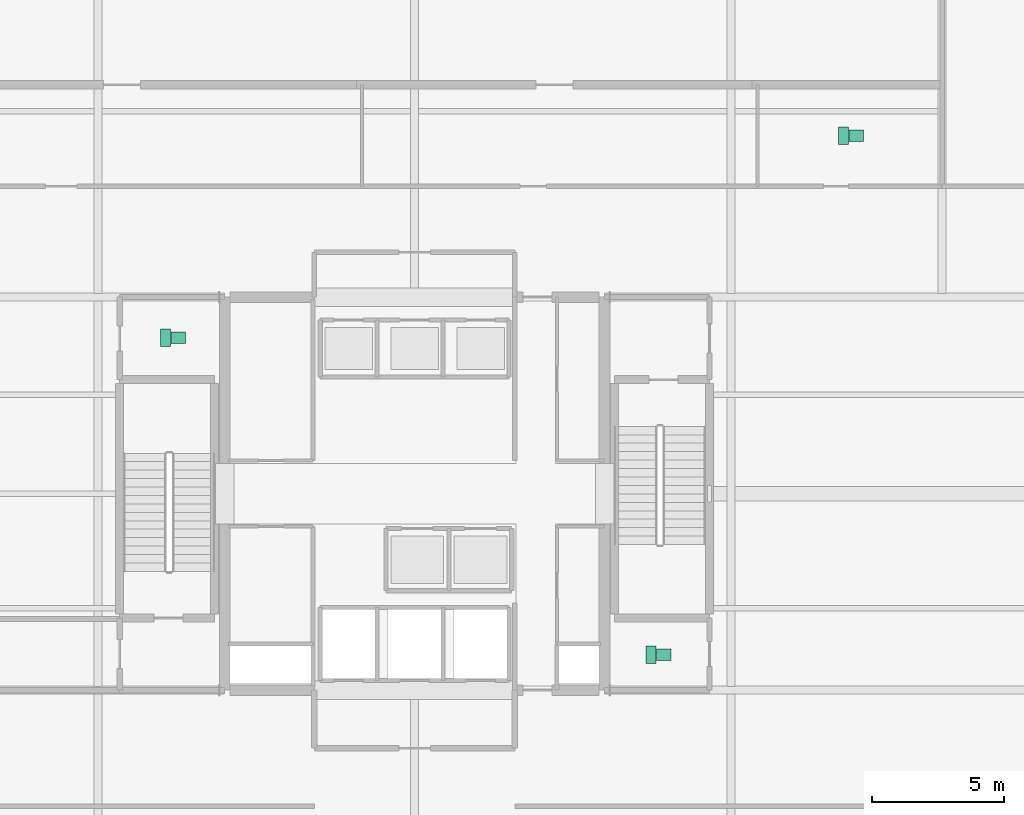
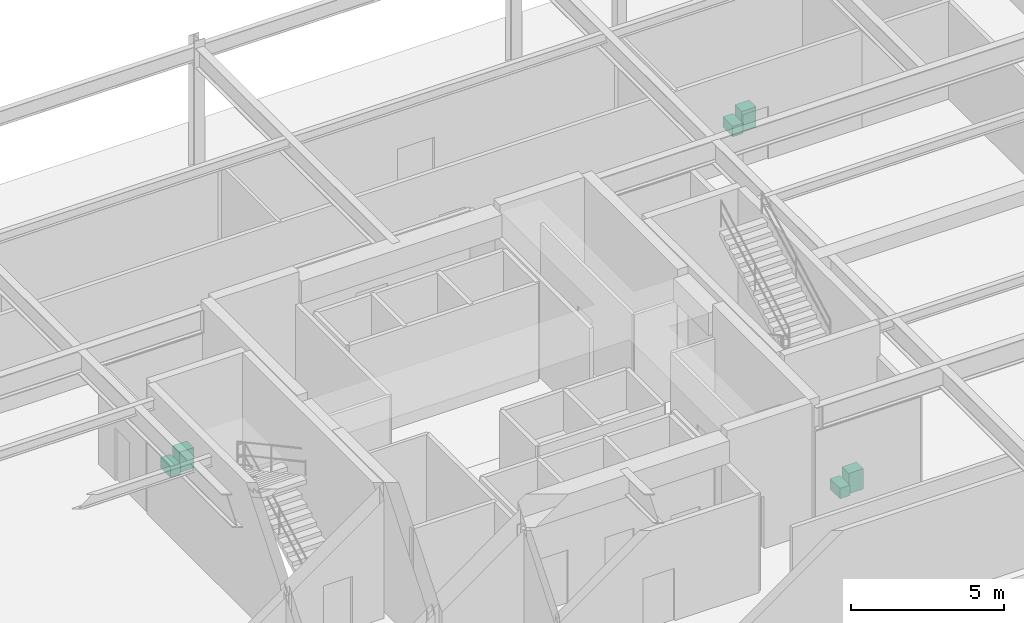
# One storey, part 18 of 19: 6 sanitary terminals.
"""IFC4 building model written with IfcOpenShell, lengths in metres."""

from ifc_helpers import new_model, si_unit, direction, frame, origin, origin_2d, place, context, subcontext, project, spatial, rectangle, extrude, material, type_object, element, save


model = new_model("IFC4")

# Units and contexts
model_context = context("Model", 3, precision=1e-05, world=origin(), true_north=direction((0.0, 1.0)))
body_context = subcontext(model_context, "Body", "Model", "MODEL_VIEW")
ifc_project = project(units=[si_unit("LENGTHUNIT", "METRE"), si_unit("AREAUNIT", "SQUARE_METRE"), si_unit("VOLUMEUNIT", "CUBIC_METRE"), si_unit("PLANEANGLEUNIT", "RADIAN"), si_unit("MASSUNIT", "GRAM", prefix="KILO")], contexts=[model_context])

# Site, building, storey
site_placement = place(None, origin())
site = spatial("IfcSite", under=ifc_project, at=site_placement, CompositionType="ELEMENT")
building_placement = place(site_placement, origin())
building = spatial("IfcBuilding", under=site, at=building_placement, Name="Veldorina Hangang Commons", CompositionType="ELEMENT")
storey_placement = place(building_placement, origin())
storey = spatial("IfcBuildingStorey", under=building, at=storey_placement, Name="L00", CompositionType="ELEMENT", Elevation=0.0)

# Sanitary terminals
ifc_material = material(Name="Vitreous China Glazed White", Category="ceramic")
sanitary_terminal_type_1 = type_object("IfcSanitaryTerminalType", Name="SAN-BSN-1", PredefinedType="WASHHANDBASIN", material=ifc_material)
for number, where, z_axis, x_axis, name in (
    (1, (23.0400390625, 29.909912109375, 0.0), (0.0, 0.0, 1.0), (1.0, 0.0, 0.0), "L00 Accessible Restroom WC wash hand basin"),
    (2, (41.43994140625, 17.889892578125, 0.0), (0.0, 0.0, 1.0), (1.0, 0.0, 0.0), "L00 Common Restroom WC wash hand basin"),
    (3, (48.739990234375, 37.56494140625, 0.0), (0.0, 0.0, 1.0), (1.0, 0.0, 0.0), "L00 Ground Public Restroom WC wash hand basin"),
):
    element("IfcSanitaryTerminal", number, at=place(storey_placement, frame(where, z_axis=z_axis, x_axis=x_axis)), inside=storey, type_object=sanitary_terminal_type_1, Name=name, PredefinedType="WASHHANDBASIN", context=body_context, shape_type="SweptSolid", body=[
        extrude(rectangle(XDim=0.550048828125, YDim=0.449951171875, at=origin_2d()), origin(), (0.0, 0.0, 1.0), 0.820068359375),
    ])
sanitary_terminal_type_2 = type_object("IfcSanitaryTerminalType", Name="SAN-WC-1", PredefinedType="TOILETPAN", material=ifc_material)
for number, where, z_axis, x_axis, name in (
    (4, (22.56005859375, 29.909912109375, 0.0), (0.0, 0.0, 1.0), (1.0, 0.0, 0.0), "L00 Accessible Restroom WC water closet"),
    (5, (40.9599609375, 17.889892578125, 0.0), (0.0, 0.0, 1.0), (1.0, 0.0, 0.0), "L00 Common Restroom WC water closet"),
    (6, (48.260009765625, 37.56494140625, 0.0), (0.0, 0.0, 1.0), (1.0, 0.0, 0.0), "L00 Ground Public Restroom WC water closet"),
):
    element("IfcSanitaryTerminal", number, at=place(storey_placement, frame(where, z_axis=z_axis, x_axis=x_axis)), inside=storey, type_object=sanitary_terminal_type_2, Name=name, PredefinedType="TOILETPAN", context=body_context, shape_type="SweptSolid", body=[
        extrude(rectangle(XDim=0.3798828125, YDim=0.64990234375, at=origin_2d()), origin(), (0.0, 0.0, 1.0), 0.419921875),
    ])

save(model, "model.ifc")
